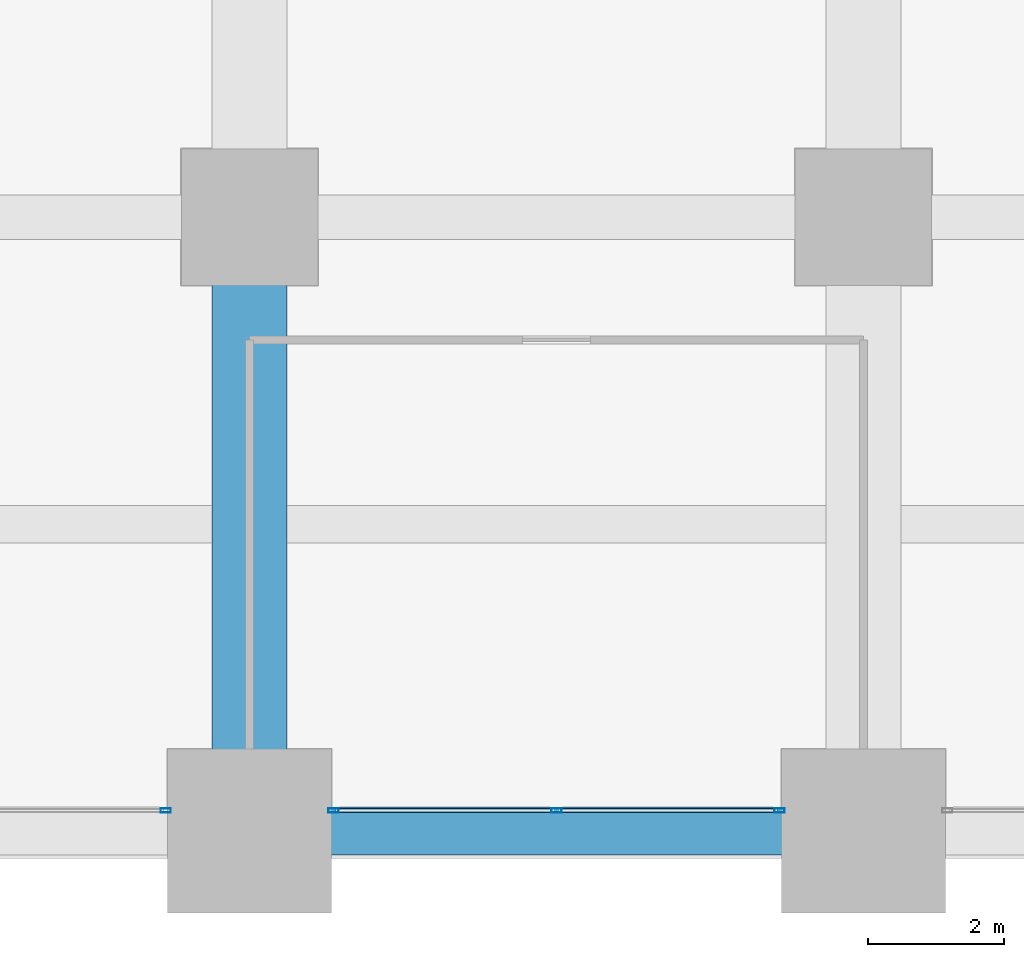
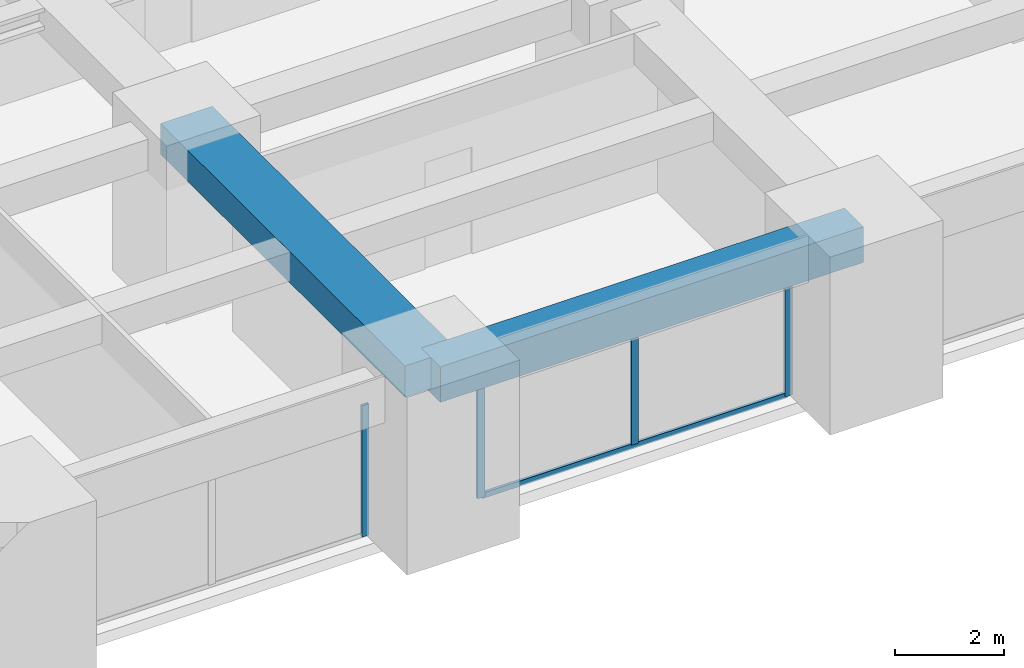
# One storey, part 13 of 39: 5 members, 2 beams, 2 elements without a shape of their own.
"""IFC4 building model written with IfcOpenShell, lengths in metres."""

from ifc_helpers import new_model, si_unit, direction, frame, origin, origin_2d, place, context, subcontext, project, spatial, rectangle, hollow_rectangle, extrude, material, material_profile, profile_set, type_object, element, aggregate, save


model = new_model("IFC4")

# Units and contexts
model_context = context("Model", 3, precision=1e-05, world=origin(), true_north=direction((0.0, 1.0)))
body_context = subcontext(model_context, "Body", "Model", "MODEL_VIEW")
ifc_project = project(units=[si_unit("LENGTHUNIT", "METRE"), si_unit("AREAUNIT", "SQUARE_METRE"), si_unit("VOLUMEUNIT", "CUBIC_METRE"), si_unit("PLANEANGLEUNIT", "RADIAN"), si_unit("MASSUNIT", "GRAM", prefix="KILO")], contexts=[model_context])

# Site, building, storey
site_placement = place(None, origin())
site = spatial("IfcSite", under=ifc_project, at=site_placement, CompositionType="ELEMENT")
building_placement = place(site_placement, origin())
building = spatial("IfcBuilding", under=site, at=building_placement, Name="Zorevar Civic Tower", CompositionType="ELEMENT")
storey_placement = place(building_placement, frame((0.0, 0.0, 117.0)))
storey = spatial("IfcBuildingStorey", under=building, at=storey_placement, Name="L28", CompositionType="ELEMENT", Elevation=117.0)

# Beam
ifc_material_1 = material(Name="Concrete C50/60", Category="concrete")
ifc_material_profile_1 = material_profile(ifc_material_1, rectangle(XDim=1.10009765625, YDim=0.699951171875, at=origin_2d()), Name="RC 1100x700")
ifc_profile_set_1 = profile_set([ifc_material_profile_1], Name="Concrete C50/60")
beam_type_1 = type_object("IfcBeamType", Name="Beam RC 1100x700", PredefinedType="BEAM", material=ifc_profile_set_1)
beam_1_placement = place(storey_placement, frame((36.0, 0.0, 3.39990234375), z_axis=(0.0, 1.0, 0.0), x_axis=(-1.0, 0.0, 0.0)))
element("IfcBeam", 1, at=beam_1_placement, inside=storey, type_object=beam_type_1, Name="Girder L29", PredefinedType="BEAM", context=body_context, shape_type="SweptSolid", body=[
    extrude(rectangle(XDim=1.10009765625, YDim=0.699951171875, at=origin_2d()), origin(), (0.0, 0.0, 1.0), 9.0),
])

# Curtain wall, member
ifc_material_2 = material(Name="Dark grey solar-control glass in black aluminium frame", Category="aluminium")
curtain_wall_type = type_object("IfcCurtainWallType", Name="Curtain wall CW3 mid zone", PredefinedType="NOTDEFINED", material=ifc_material_2)
curtain_wall_1_placement = place(storey_placement, origin())
curtain_wall_1 = element("IfcCurtainWall", 2, at=curtain_wall_1_placement, inside=storey, type_object=curtain_wall_type, Name="CW3 L28", PredefinedType="NOTDEFINED")
ifc_material_3 = material(Name="Aluminium, black anodised", Category="aluminium")
ifc_material_profile_2 = material_profile(ifc_material_3, hollow_rectangle(XDim=0.06005859375, YDim=0.14990234375, WallThickness=0.00390625, at=origin_2d()), Name="AL 150x60x4")
ifc_profile_set_2 = profile_set([ifc_material_profile_2], Name="Aluminium, black anodised")
member_type_1 = type_object("IfcMemberType", Name="CW3 mullion AL 150x60x4", PredefinedType="MULLION", material=ifc_profile_set_2)
member_1_placement = place(storey_placement, frame((34.77001953125, 0.300048828125, 0.0), z_axis=(0.0, 0.0, 1.0), x_axis=(0.0, 1.0, 0.0)))
member_1 = element("IfcMember", 3, at=member_1_placement, type_object=member_type_1, Name="CW3 mullion 3", PredefinedType="MULLION", context=body_context, shape_type="SweptSolid", body=[
    extrude(hollow_rectangle(XDim=0.06005859375, YDim=0.14990234375, WallThickness=0.00390625, at=origin_2d()), origin(), (0.0, 0.0, 1.0), 2.949951171875),
])
aggregate(curtain_wall_1, [member_1])

# Curtain wall, members
curtain_wall_2_placement = place(storey_placement, origin())
curtain_wall_2 = element("IfcCurtainWall", 4, at=curtain_wall_2_placement, inside=storey, type_object=curtain_wall_type, Name="CW3 L28", PredefinedType="NOTDEFINED")
member_2_placement = place(storey_placement, frame((37.22998046875, 0.300048828125, 0.0), z_axis=(0.0, 0.0, 1.0), x_axis=(0.0, 1.0, 0.0)))
member_2 = element("IfcMember", 5, at=member_2_placement, type_object=member_type_1, Name="CW3 mullion 1", PredefinedType="MULLION", context=body_context, shape_type="SweptSolid", body=[
    extrude(hollow_rectangle(XDim=0.06005859375, YDim=0.14990234375, WallThickness=0.00390625, at=origin_2d()), origin(), (0.0, 0.0, 1.0), 2.949951171875),
])
member_3_placement = place(storey_placement, frame((40.5, 0.300048828125, 0.06005859375), z_axis=(0.0, 0.0, 1.0), x_axis=(0.0, 1.0, 0.0)))
member_3 = element("IfcMember", 6, at=member_3_placement, type_object=member_type_1, Name="CW3 mullion 2", PredefinedType="MULLION", context=body_context, shape_type="SweptSolid", body=[
    extrude(hollow_rectangle(XDim=0.06005859375, YDim=0.14990234375, WallThickness=0.00390625, at=origin_2d()), origin(), (0.0, 0.0, 1.0), 2.889892578125),
])
member_4_placement = place(storey_placement, frame((43.77001953125, 0.300048828125, 0.0), z_axis=(0.0, 0.0, 1.0), x_axis=(0.0, 1.0, 0.0)))
member_4 = element("IfcMember", 7, at=member_4_placement, type_object=member_type_1, Name="CW3 mullion 3", PredefinedType="MULLION", context=body_context, shape_type="SweptSolid", body=[
    extrude(hollow_rectangle(XDim=0.06005859375, YDim=0.14990234375, WallThickness=0.00390625, at=origin_2d()), origin(), (0.0, 0.0, 1.0), 2.949951171875),
])
ifc_material_4 = material(Name="Aluminium, black anodised", Category="aluminium")
ifc_material_profile_3 = material_profile(ifc_material_4, hollow_rectangle(XDim=0.06005859375, YDim=0.1201171875, WallThickness=0.0029296875, at=origin_2d()), Name="AL 120x60x3")
ifc_profile_set_3 = profile_set([ifc_material_profile_3], Name="Aluminium, black anodised")
member_type_2 = type_object("IfcMemberType", Name="CW3 transom AL 120x60x3", PredefinedType="USERDEFINED", material=ifc_profile_set_3)
member_5_placement = place(storey_placement, frame((37.260009765625, 0.300048828125, 0.030029296875), z_axis=(1.0, 0.0, 0.0), x_axis=(0.0, 1.0, 0.0)))
member_5 = element("IfcMember", 8, at=member_5_placement, type_object=member_type_2, Name="CW3 sill transom", ObjectType="TRANSOM", PredefinedType="USERDEFINED", context=body_context, shape_type="SweptSolid", body=[
    extrude(hollow_rectangle(XDim=0.06005859375, YDim=0.1201171875, WallThickness=0.0029296875, at=origin_2d()), origin(), (0.0, 0.0, 1.0), 6.47998046875),
])
aggregate(curtain_wall_2, [member_2, member_3, member_4, member_5])

# Beam
ifc_material_5 = material(Name="Concrete C50/60", Category="concrete")
ifc_material_profile_4 = material_profile(ifc_material_5, rectangle(XDim=0.699951171875, YDim=0.800048828125, at=origin_2d()), Name="RC 700x800")
ifc_profile_set_4 = profile_set([ifc_material_profile_4], Name="Concrete C50/60")
beam_type_2 = type_object("IfcBeamType", Name="Edge beam RC 700x800", PredefinedType="SPANDREL", material=ifc_profile_set_4)
beam_2_placement = place(storey_placement, frame((36.0, 0.0, 3.35009765625), z_axis=(1.0, 0.0, 0.0), x_axis=(0.0, 1.0, 0.0)))
element("IfcBeam", 9, at=beam_2_placement, inside=storey, type_object=beam_type_2, Name="Edge beam L29", PredefinedType="SPANDREL", context=body_context, shape_type="SweptSolid", body=[
    extrude(rectangle(XDim=0.699951171875, YDim=0.800048828125, at=origin_2d()), origin(), (0.0, 0.0, 1.0), 9.0),
])

save(model, "model.ifc")
